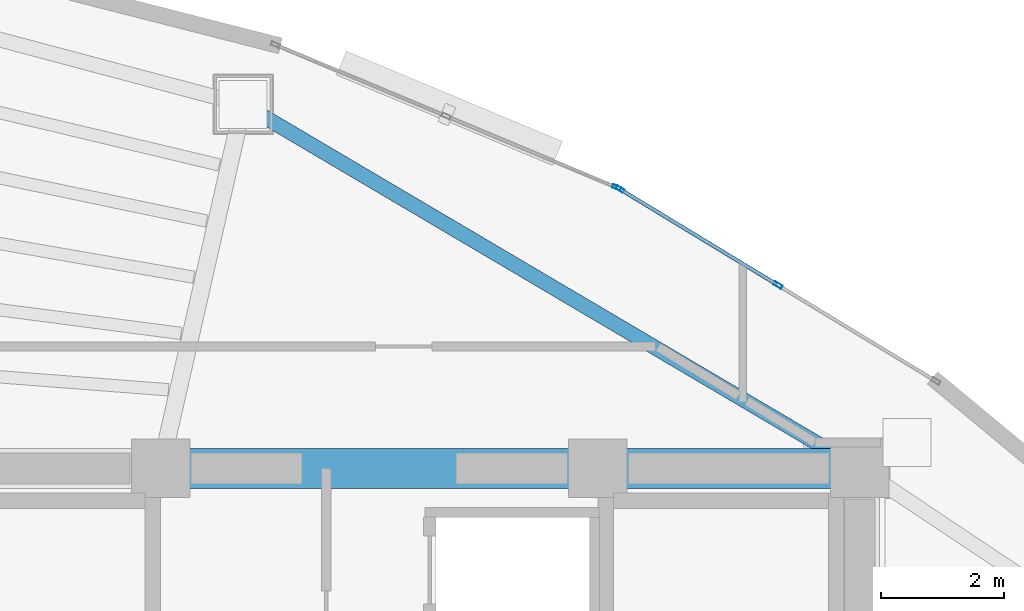
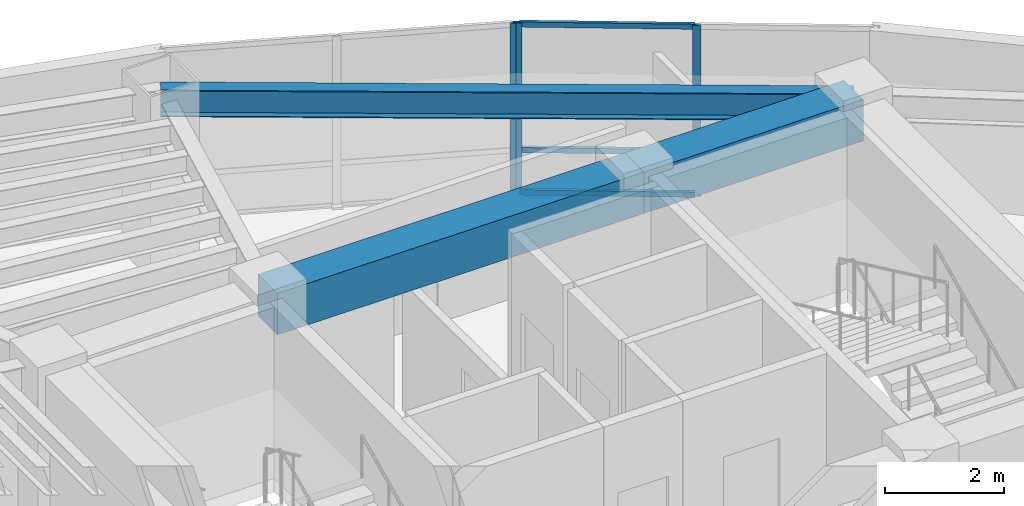
# One storey, part 8 of 15: 6 members, 3 beams, 2 elements without a shape of their own.
"""IFC4 building model written with IfcOpenShell, lengths in metres."""

import ifcopenshell
import ifcopenshell.guid

model = None  # the IFC model being written
_history = None  # IfcOwnerHistory: only IFC2X3 demands one
_inside = {}  # id of a spatial element -> (the spatial element, [elements in it])
_under = {}  # id of a project, library or spatial element -> (it, [spatial elements below it])
_declared = {}  # id of a project -> (the project, [libraries it declares])
_typed = {}  # id of a type object -> (the type object, [elements of that type])
_made_of = {}  # id of a material, layer set ... -> (it, [elements and type objects made of it])


def new_model(schema):
    """Start an empty IFC model of exactly this schema.

    Asked for "IFC4X3", IfcOpenShell would pick the latest addendum, in which some entities
    have other attributes; the version numbers below select the first issue.
    IFC2X3 requires an IfcOwnerHistory on every rooted entity: one is made here for all.
    """
    global model, _history
    if schema == "IFC4X3":
        model = ifcopenshell.file(schema_version=(4, 3, 0, 0))
    else:
        model = ifcopenshell.file(schema=schema)
    _inside.clear()
    _under.clear()
    _declared.clear()
    _typed.clear()
    _made_of.clear()
    _history = None
    if model.schema == "IFC2X3":
        org = make("IfcOrganization", Name="unknown")
        user = make(
            "IfcPersonAndOrganization",
            ThePerson=make("IfcPerson", FamilyName="unknown"),
            TheOrganization=org,
        )
        app = make(
            "IfcApplication",
            ApplicationDeveloper=org,
            Version="unknown",
            ApplicationFullName="unknown",
            ApplicationIdentifier="unknown",
        )
        _history = make(
            "IfcOwnerHistory",
            OwningUser=user,
            OwningApplication=app,
            ChangeAction="ADDED",
            CreationDate=0,
        )
    return model


def make(cls, **values):
    """One entity of the class cls with the attributes given. An attribute that is None is left unset."""
    return model.create_entity(
        cls, **{name: value for name, value in values.items() if value is not None}
    )


def rooted(cls, **values):
    """An entity with a GlobalId (a new one), such as an element, a storey or a relation."""
    return make(cls, GlobalId=ifcopenshell.guid.new(), OwnerHistory=_history, **values)


def si_unit(unit_type, name, prefix=None):
    """IfcSIUnit, for example si_unit("LENGTHUNIT", "METRE", prefix="MILLI")."""
    return make("IfcSIUnit", UnitType=unit_type, Prefix=prefix, Name=name)


def assignment(units):
    """IfcUnitAssignment: the units of a project."""
    return None if units is None else make("IfcUnitAssignment", Units=units)


def point(xyz):
    """IfcCartesianPoint."""
    return None if xyz is None else make("IfcCartesianPoint", Coordinates=xyz)


def direction(xyz):
    """IfcDirection."""
    return None if xyz is None else make("IfcDirection", DirectionRatios=xyz)


def frame(location, z_axis=None, x_axis=None):
    """IfcAxis2Placement3D, a coordinate frame: its origin and axes. An axis left out is left unset."""
    return make(
        "IfcAxis2Placement3D",
        Location=point(location),
        Axis=direction(z_axis),
        RefDirection=direction(x_axis),
    )


def frame_2d(location, x_axis=None):
    """IfcAxis2Placement2D, a coordinate frame in the plane: its origin and x axis."""
    return make(
        "IfcAxis2Placement2D", Location=point(location), RefDirection=direction(x_axis)
    )


def origin():
    """The frame at (0, 0, 0) with its axes left unset."""
    return frame((0.0, 0.0, 0.0))


def origin_2d():
    """The frame at (0, 0) in the plane with its x axis left unset."""
    return frame_2d((0.0, 0.0))


def place(relative_to, where):
    """IfcLocalPlacement: puts the frame where relative to a parent placement (None: the world)."""
    return make(
        "IfcLocalPlacement", PlacementRelTo=relative_to, RelativePlacement=where
    )


def context(
    kind, dimensions, precision=None, world=None, true_north=None, identifier=None
):
    """IfcGeometricRepresentationContext, for example the 3D "Model" context."""
    return make(
        "IfcGeometricRepresentationContext",
        ContextIdentifier=identifier,
        ContextType=kind,
        CoordinateSpaceDimension=dimensions,
        Precision=precision,
        WorldCoordinateSystem=world,
        TrueNorth=true_north,
    )


def subcontext(parent, identifier, kind, view, scale=None):
    """IfcGeometricRepresentationSubContext, for example "Body" below "Model"."""
    return make(
        "IfcGeometricRepresentationSubContext",
        ContextIdentifier=identifier,
        ContextType=kind,
        ParentContext=parent,
        TargetScale=scale,
        TargetView=view,
    )


def project(units=None, contexts=None):
    """IfcProject with its units and contexts."""
    return rooted(
        "IfcProject",
        Name="project",
        RepresentationContexts=contexts,
        UnitsInContext=assignment(units),
    )


def spatial(cls, under=None, at=None, **own):
    """A site, building, storey or space (cls), placed at a placement, below another one or the project."""
    s = rooted(cls, ObjectPlacement=at, **own)
    if under is not None:
        _under.setdefault(under.id(), (under, []))[1].append(s)
    return s


def profile(cls, at=None, kind="AREA", **sizes):
    """A parametric profile (cls). Its sizes go by their IFC names, for example OverallWidth=200.0."""
    return make(cls, ProfileType=kind, Position=at, **sizes)


def rectangle(**sizes):
    """IfcRectangleProfileDef."""
    return profile("IfcRectangleProfileDef", **sizes)


def hollow_rectangle(**sizes):
    """IfcRectangleHollowProfileDef."""
    return profile("IfcRectangleHollowProfileDef", **sizes)


def i_section(**sizes):
    """IfcIShapeProfileDef."""
    return profile("IfcIShapeProfileDef", **sizes)


def extrude(swept, where, along, depth):
    """IfcExtrudedAreaSolid: the profile swept, set in the frame where, extruded along a direction by depth."""
    return make(
        "IfcExtrudedAreaSolid",
        SweptArea=swept,
        Position=where,
        ExtrudedDirection=direction(along),
        Depth=depth,
    )


def shape(context_of_items, identifier, shape_type, items):
    """IfcShapeRepresentation: the items that make up one representation, for example the "Body"."""
    return make(
        "IfcShapeRepresentation",
        ContextOfItems=context_of_items,
        RepresentationIdentifier=identifier,
        RepresentationType=shape_type,
        Items=items,
    )


def material(Name=None, Category=None):
    """IfcMaterial."""
    return make("IfcMaterial", Name=Name, Category=Category)


def layer(
    of_material, thickness, ventilated=None, Name=None, Category=None, Priority=None
):
    """IfcMaterialLayer: one layer of a wall or slab, of a material (None: an air gap)."""
    return make(
        "IfcMaterialLayer",
        Material=of_material,
        LayerThickness=thickness,
        IsVentilated=ventilated,
        Name=Name,
        Category=Category,
        Priority=Priority,
    )


def layer_set(layers, Name=None):
    """IfcMaterialLayerSet."""
    return make("IfcMaterialLayerSet", MaterialLayers=layers, LayerSetName=Name)


def material_profile(
    of_material, cross_section, Name=None, Category=None, Priority=None
):
    """IfcMaterialProfile: a cross section and its material."""
    return make(
        "IfcMaterialProfile",
        Name=Name,
        Material=of_material,
        Profile=cross_section,
        Priority=Priority,
        Category=Category,
    )


def profile_set(profiles, Name=None, composite=None):
    """IfcMaterialProfileSet."""
    return make(
        "IfcMaterialProfileSet",
        Name=Name,
        MaterialProfiles=profiles,
        CompositeProfile=composite,
    )


def made_of(thing, what):
    """Note that an element or type object is made of a material, layer set ...; save() writes the relation."""
    if what is not None:
        _made_of.setdefault(what.id(), (what, []))[1].append(thing)
    return thing


def type_object(cls, material=None, **own):
    """A type object (cls), such as IfcWallType, which elements share."""
    return made_of(rooted(cls, **own), material)


def element(
    cls,
    number,
    at=None,
    inside=None,
    cuts=None,
    type_object=None,
    material=None,
    context=None,
    identifier="Body",
    shape_type=None,
    held_by="IfcProductDefinitionShape",
    body=None,
    shapes=None,
    **own,
):
    """One element of the class cls, such as IfcWall. Its Tag is "e" and its number.

    at: its placement. inside: the storey or other place that contains it. cuts: it is an
    opening in that element (IfcRelVoidsElement). A single representation is given by context,
    identifier, shape_type and body (its items); several are given by shapes. held_by: the class
    of the entity that holds the representations. save() writes the other relations.
    """
    e = rooted(cls, Tag="e%d" % number, ObjectPlacement=at, **own)
    if body is not None:
        shapes = [shape(context, identifier, shape_type, body)]
    if shapes is not None:
        e.Representation = make(held_by, Representations=shapes)
    if inside is not None:
        _inside.setdefault(inside.id(), (inside, []))[1].append(e)
    if cuts is not None:
        rooted(
            "IfcRelVoidsElement", RelatingBuildingElement=cuts, RelatedOpeningElement=e
        )
    if type_object is not None:
        _typed.setdefault(type_object.id(), (type_object, []))[1].append(e)
    return made_of(e, material)


def aggregate(whole, parts):
    """IfcRelAggregates: a whole, such as a stair, and the parts it consists of."""
    return rooted("IfcRelAggregates", RelatingObject=whole, RelatedObjects=parts)


def save(model, path):
    """Write the relations noted so far, then the file.

    IfcRelAggregates (storeys below a building ...), IfcRelContainedInSpatialStructure (elements
    in a storey), IfcRelDefinesByType, IfcRelAssociatesMaterial and IfcRelDeclares: one each for
    every whole, place, type object, material and project.
    """
    for whole, parts in _under.values():
        aggregate(whole, parts)
    for where, things in _inside.values():
        rooted(
            "IfcRelContainedInSpatialStructure",
            RelatedElements=things,
            RelatingStructure=where,
        )
    for kind, things in _typed.values():
        rooted("IfcRelDefinesByType", RelatedObjects=things, RelatingType=kind)
    for what, things in _made_of.values():
        rooted("IfcRelAssociatesMaterial", RelatedObjects=things, RelatingMaterial=what)
    for by, libraries in _declared.values():
        rooted("IfcRelDeclares", RelatingContext=by, RelatedDefinitions=libraries)
    model.write(path)


model = new_model("IFC4")

# Units and contexts
model_context = context("Model", 3, precision=1e-05, world=origin(), true_north=direction((0.0, 1.0)))
body_context = subcontext(model_context, "Body", "Model", "MODEL_VIEW")
ifc_project = project(units=[si_unit("LENGTHUNIT", "METRE"), si_unit("AREAUNIT", "SQUARE_METRE"), si_unit("VOLUMEUNIT", "CUBIC_METRE"), si_unit("PLANEANGLEUNIT", "RADIAN"), si_unit("MASSUNIT", "GRAM", prefix="KILO")], contexts=[model_context])

# Site, building, storey
site_placement = place(None, origin())
site = spatial("IfcSite", under=ifc_project, at=site_placement, CompositionType="ELEMENT")
building_placement = place(site_placement, origin())
building = spatial("IfcBuilding", under=site, at=building_placement, Name="Menara Vayukalpa", CompositionType="ELEMENT")
storey_placement = place(building_placement, frame((0.0, 0.0, 172.919921875)))
storey = spatial("IfcBuildingStorey", under=building, at=storey_placement, Name="L43", CompositionType="ELEMENT", Elevation=172.919921875)

# Beams
ifc_material_1 = material(Name="Concrete C60/75", Category="concrete")
ifc_material_profile_1 = material_profile(ifc_material_1, rectangle(XDim=0.64990234375, YDim=0.85009765625, at=origin_2d()), Name="RC 650x850")
ifc_profile_set_1 = profile_set([ifc_material_profile_1], Name="Concrete C60/75")
beam_type_1 = type_object("IfcBeamType", Name="BM-CB1", PredefinedType="BEAM", material=ifc_profile_set_1)
beam_1_placement = place(storey_placement, frame((22.050048828125, 26.800048828125, 3.0751953125), z_axis=(1.0, 0.0, 0.0), x_axis=(0.0, 1.0, 0.0)))
element("IfcBeam", 1, at=beam_1_placement, inside=storey, type_object=beam_type_1, Name="L43 Core Tie Beam CBR5", PredefinedType="BEAM", context=body_context, shape_type="SweptSolid", body=[
    extrude(rectangle(XDim=0.64990234375, YDim=0.85009765625, at=origin_2d()), origin(), (0.0, 0.0, 1.0), 7.099853515625),
])
beam_2_placement = place(storey_placement, frame((29.14990234375, 26.800048828125, 3.0751953125), z_axis=(1.0, 0.0, 0.0), x_axis=(0.0, 1.0, 0.0)))
element("IfcBeam", 2, at=beam_2_placement, inside=storey, type_object=beam_type_1, Name="L43 Core Tie Beam CBR6", PredefinedType="BEAM", context=body_context, shape_type="SweptSolid", body=[
    extrude(rectangle(XDim=0.64990234375, YDim=0.85009765625, at=origin_2d()), origin(), (0.0, 0.0, 1.0), 4.25),
])
ifc_material_2 = material(Name="Steel S355", Category="steel")
ifc_material_profile_2 = material_profile(ifc_material_2, i_section(OverallWidth=0.239990234375, OverallDepth=0.550048828125, WebThickness=0.010986328125, FlangeThickness=0.01904296875, at=origin_2d()), Name="WF 550x240x11x19")
ifc_profile_set_2 = profile_set([ifc_material_profile_2], Name="Steel S355")
beam_type_2 = type_object("IfcBeamType", Name="BM-SP2", PredefinedType="SPANDREL", material=ifc_profile_set_2)
beam_3_placement = place(storey_placement, frame((33.39990234375, 26.800048828125, 3.22509765625), z_axis=(-0.861184403346, 0.508292655302, 0.0), x_axis=(-0.508292655302, -0.861184403346, 0.0)))
element("IfcBeam", 3, at=beam_3_placement, inside=storey, type_object=beam_type_2, Name="L43 Perimeter Spandrel Beam SP02", PredefinedType="SPANDREL", context=body_context, shape_type="SweptSolid", body=[
    extrude(i_section(OverallWidth=0.239990234375, OverallDepth=0.550048828125, WebThickness=0.010986328125, FlangeThickness=0.01904296875, at=origin_2d()), origin(), (0.0, 0.0, 1.0), 11.6240234375),
])

# Curtain wall, members
ifc_material_3 = material(Name="Anodised Terracotta Aluminium Alloy 6063-T6", Category="masonry")
ifc_layer = layer(ifc_material_3, 0.139892578125)
ifc_layer_set = layer_set([ifc_layer], Name="Anodised Terracotta Aluminium Alloy 6063-T6")
curtain_wall_type = type_object("IfcCurtainWallType", Name="CW-CW5", PredefinedType="USERDEFINED", material=ifc_layer_set)
curtain_wall_1_placement = place(storey_placement, origin())
curtain_wall_1 = element("IfcCurtainWall", 4, at=curtain_wall_1_placement, inside=storey, type_object=curtain_wall_type, Name="L43 High Rise Tapered Curtain Wall CW5 04", ObjectType="UNITISED", PredefinedType="USERDEFINED")
ifc_material_4 = material(Name="Anodised Terracotta Aluminium Alloy 6063-T6", Category="masonry")
ifc_material_profile_3 = material_profile(ifc_material_4, hollow_rectangle(XDim=0.06005859375, YDim=0.139892578125, WallThickness=0.00341796875, at=origin_2d()), Name="ALU 60x140x3.5")
ifc_profile_set_3 = profile_set([ifc_material_profile_3], Name="Anodised Terracotta Aluminium Alloy 6063-T6")
member_type_1 = type_object("IfcMemberType", Name="CWM-CW5", PredefinedType="MULLION", material=ifc_profile_set_3)
member_1_placement = place(storey_placement, frame((32.075439453125, 29.773681640625, 0.0), z_axis=(0.0, 0.0, 1.0), x_axis=(-0.519179911779, -0.854664974832, 0.0)))
member_1 = element("IfcMember", 5, at=member_1_placement, type_object=member_type_1, Name="CW5 mullion 2", PredefinedType="MULLION", context=body_context, shape_type="SweptSolid", body=[
    extrude(hollow_rectangle(XDim=0.06005859375, YDim=0.139892578125, WallThickness=0.00341796875, at=origin_2d()), origin(), (0.0, 0.0, 1.0), 3.5),
])
member_2_placement = place(storey_placement, frame((29.509521484375, 31.33251953125, 0.0), z_axis=(0.0, 0.0, 1.0), x_axis=(-0.519179911779, -0.854664974832, 0.0)))
member_2 = element("IfcMember", 6, at=member_2_placement, type_object=member_type_1, Name="CW5 mullion 3", PredefinedType="MULLION", context=body_context, shape_type="SweptSolid", body=[
    extrude(hollow_rectangle(XDim=0.06005859375, YDim=0.139892578125, WallThickness=0.00341796875, at=origin_2d()), origin(), (0.0, 0.0, 1.0), 3.5),
])

# Curtain wall, member
curtain_wall_2_placement = place(storey_placement, origin())
curtain_wall_2 = element("IfcCurtainWall", 7, at=curtain_wall_2_placement, inside=storey, type_object=curtain_wall_type, Name="L43 High Rise Tapered Curtain Wall CW5 05", ObjectType="UNITISED", PredefinedType="USERDEFINED")
member_3_placement = place(storey_placement, frame((29.4560546875, 31.359619140625, 0.0), z_axis=(0.0, 0.0, 1.0), x_axis=(-0.385902834406, -0.922539431351, 0.0)))
member_3 = element("IfcMember", 8, at=member_3_placement, type_object=member_type_1, Name="CW5 mullion 1", PredefinedType="MULLION", context=body_context, shape_type="SweptSolid", body=[
    extrude(hollow_rectangle(XDim=0.06005859375, YDim=0.139892578125, WallThickness=0.00341796875, at=origin_2d()), origin(), (0.0, 0.0, 1.0), 3.5),
])
aggregate(curtain_wall_2, [member_3])

# Member
ifc_material_5 = material(Name="Anodised Terracotta Aluminium Alloy 6063-T6", Category="masonry")
ifc_material_profile_4 = material_profile(ifc_material_5, hollow_rectangle(XDim=0.06005859375, YDim=0.10498046875, WallThickness=0.0029296875, at=origin_2d()), Name="ALU 60x105x3")
ifc_profile_set_4 = profile_set([ifc_material_profile_4], Name="Anodised Terracotta Aluminium Alloy 6063-T6")
member_type_2 = type_object("IfcMemberType", Name="CWT-CW5", PredefinedType="USERDEFINED", material=ifc_profile_set_4)
member_4_placement = place(storey_placement, frame((32.0498046875, 29.789306640625, 0.030029296875), z_axis=(-0.85466128475, 0.51918598628, 0.0), x_axis=(-0.51918598628, -0.85466128475, 0.0)))
member_4 = element("IfcMember", 9, at=member_4_placement, type_object=member_type_2, Name="CW5 transom 2.1", ObjectType="TRANSOM", PredefinedType="USERDEFINED", context=body_context, shape_type="SweptSolid", body=[
    extrude(hollow_rectangle(XDim=0.06005859375, YDim=0.10498046875, WallThickness=0.0029296875, at=origin_2d()), origin(), (0.0, 0.0, 1.0), 2.9423828125),
])

member_5_placement = place(storey_placement, frame((32.0498046875, 29.789306640625, 0.900146484375), z_axis=(-0.85466128475, 0.51918598628, 0.0), x_axis=(-0.51918598628, -0.85466128475, 0.0)))
member_5 = element("IfcMember", 10, at=member_5_placement, type_object=member_type_2, Name="CW5 transom 2.2", ObjectType="TRANSOM", PredefinedType="USERDEFINED", context=body_context, shape_type="SweptSolid", body=[
    extrude(hollow_rectangle(XDim=0.06005859375, YDim=0.10498046875, WallThickness=0.0029296875, at=origin_2d()), origin(), (0.0, 0.0, 1.0), 2.9423828125),
])

member_6_placement = place(storey_placement, frame((32.0498046875, 29.789306640625, 3.469970703125), z_axis=(-0.85466128475, 0.51918598628, 0.0), x_axis=(-0.51918598628, -0.85466128475, 0.0)))
member_6 = element("IfcMember", 11, at=member_6_placement, type_object=member_type_2, Name="CW5 transom 2.3", ObjectType="TRANSOM", PredefinedType="USERDEFINED", context=body_context, shape_type="SweptSolid", body=[
    extrude(hollow_rectangle(XDim=0.06005859375, YDim=0.10498046875, WallThickness=0.0029296875, at=origin_2d()), origin(), (0.0, 0.0, 1.0), 2.9423828125),
])

aggregate(curtain_wall_1, [member_1, member_2, member_4, member_5, member_6])

save(model, "model.ifc")
